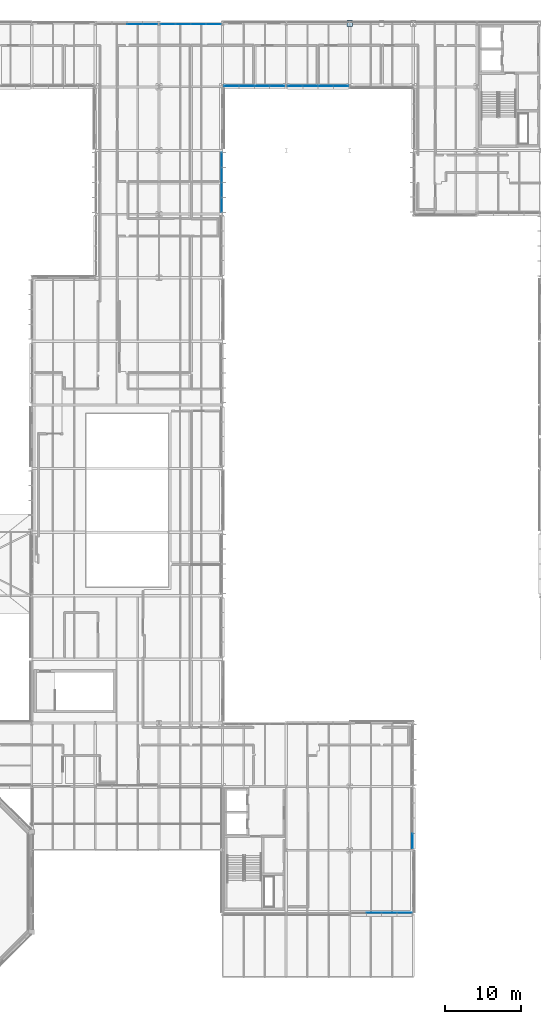
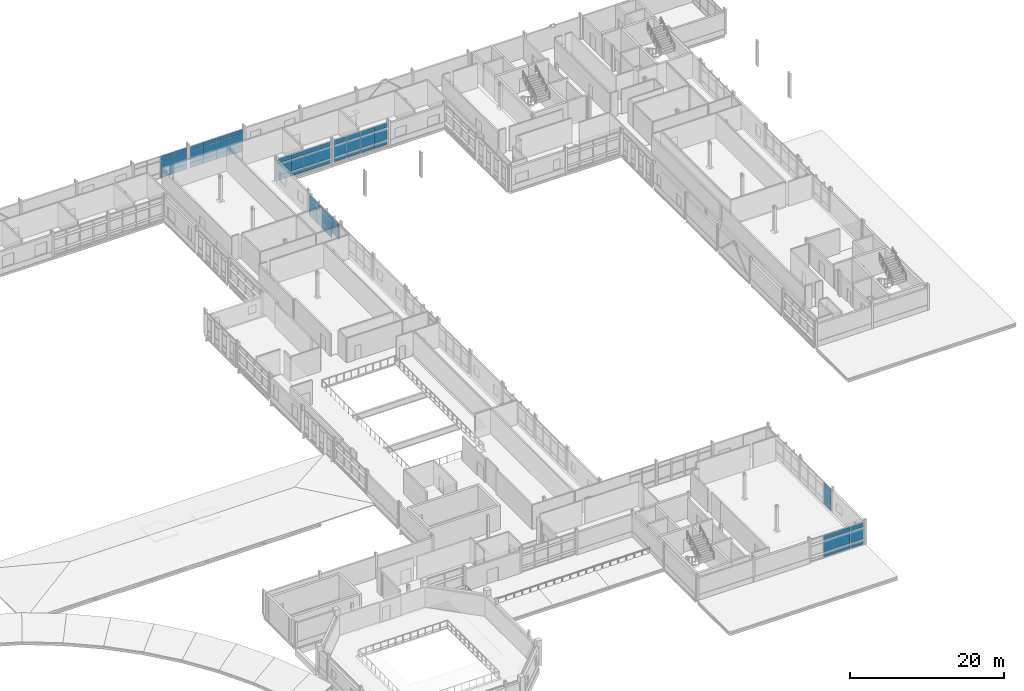
# One storey, part 114 of 151: 66 plates, 7 elements without a shape of their own.
"""IFC4 building model written with IfcOpenShell, lengths in metres."""

from ifc_helpers import new_model, si_unit, direction, frame, origin, origin_2d, place, context, subcontext, project, spatial, rectangle, extrude, material, layer, layer_set, type_object, element, aggregate, save


model = new_model("IFC4")

# Units and contexts
model_context = context("Model", 3, precision=1e-05, world=origin(), true_north=direction((0.0, 1.0)))
body_context = subcontext(model_context, "Body", "Model", "MODEL_VIEW")
ifc_project = project(units=[si_unit("LENGTHUNIT", "METRE"), si_unit("AREAUNIT", "SQUARE_METRE"), si_unit("VOLUMEUNIT", "CUBIC_METRE"), si_unit("PLANEANGLEUNIT", "RADIAN"), si_unit("MASSUNIT", "GRAM", prefix="KILO")], contexts=[model_context])

# Site, building, storey
site_placement = place(None, origin())
site = spatial("IfcSite", under=ifc_project, at=site_placement, CompositionType="ELEMENT")
building_placement = place(site_placement, origin())
building = spatial("IfcBuilding", under=site, at=building_placement, Name="Mersafa Astral City Hall", CompositionType="ELEMENT")
storey_placement = place(building_placement, frame((0.0, 0.0, 9.89990234375)))
storey = spatial("IfcBuildingStorey", under=building, at=storey_placement, Name="L02", CompositionType="ELEMENT", Elevation=9.89990234375)

# Curtain wall, plates
ifc_material_1 = material(Name="Anodised bronze aluminium framing", Category="aluminium")
curtain_wall_type_1 = type_object("IfcCurtainWallType", Name="ENV-CW-3", PredefinedType="USERDEFINED", material=ifc_material_1)
curtain_wall_1_placement = place(storey_placement, origin())
curtain_wall_1 = element("IfcCurtainWall", 1, at=curtain_wall_1_placement, inside=storey, type_object=curtain_wall_type_1, Name="L02 Unitised solar curtain wall 116", ObjectType="UNITISED CURTAIN WALL", PredefinedType="USERDEFINED")
ifc_material_2 = material(Name="Solar control low-e double glazing", Category="glass")
ifc_layer_1 = layer(ifc_material_2, 0.028076171875, Name="Solar control low-e double glazing")
ifc_layer_set_1 = layer_set([ifc_layer_1], Name="Solar control low-e double glazing — ENV-CW-PNL-GLZ-1")
plate_type_1 = type_object("IfcPlateType", Name="ENV-CW-PNL-GLZ-1", PredefinedType="CURTAIN_PANEL", material=ifc_layer_set_1)
plate_1_placement = place(storey_placement, frame((117.47998046875, 102.017822265625, 0.8798828125), z_axis=(0.0, 0.0, 1.0), x_axis=(0.0, 1.0, 0.0)))
plate_1 = element("IfcPlate", 2, at=plate_1_placement, type_object=plate_type_1, Name="CW-3 panel 1.2", PredefinedType="CURTAIN_PANEL", context=body_context, shape_type="SweptSolid", body=[
    extrude(rectangle(XDim=1.8916015625, YDim=0.028076171875, at=origin_2d()), origin(), (0.0, 0.0, 1.0), 1.840087890625),
])
plate_2_placement = place(storey_placement, frame((117.47998046875, 102.017822265625, 2.780029296875), z_axis=(0.0, 0.0, 1.0), x_axis=(0.0, 1.0, 0.0)))
plate_2 = element("IfcPlate", 3, at=plate_2_placement, type_object=plate_type_1, Name="CW-3 panel 1.3", PredefinedType="CURTAIN_PANEL", context=body_context, shape_type="SweptSolid", body=[
    extrude(rectangle(XDim=1.8916015625, YDim=0.028076171875, at=origin_2d()), origin(), (0.0, 0.0, 1.0), 0.64697265625),
])
plate_3_placement = place(storey_placement, frame((117.47998046875, 103.984130859375, 0.05810546875), z_axis=(0.0, 0.0, 1.0), x_axis=(0.0, 1.0, 0.0)))
plate_3 = element("IfcPlate", 4, at=plate_3_placement, type_object=plate_type_1, Name="CW-3 panel 2.1", PredefinedType="CURTAIN_PANEL", context=body_context, shape_type="SweptSolid", body=[
    extrude(rectangle(XDim=1.92138671875, YDim=0.028076171875, at=origin_2d()), origin(), (0.0, 0.0, 1.0), 0.761962890625),
])
plate_4_placement = place(storey_placement, frame((117.47998046875, 103.984130859375, 0.8798828125), z_axis=(0.0, 0.0, 1.0), x_axis=(0.0, 1.0, 0.0)))
plate_4 = element("IfcPlate", 5, at=plate_4_placement, type_object=plate_type_1, Name="CW-3 panel 2.2", PredefinedType="CURTAIN_PANEL", context=body_context, shape_type="SweptSolid", body=[
    extrude(rectangle(XDim=1.92138671875, YDim=0.028076171875, at=origin_2d()), origin(), (0.0, 0.0, 1.0), 1.840087890625),
])
plate_5_placement = place(storey_placement, frame((117.47998046875, 103.984130859375, 2.780029296875), z_axis=(0.0, 0.0, 1.0), x_axis=(0.0, 1.0, 0.0)))
plate_5 = element("IfcPlate", 6, at=plate_5_placement, type_object=plate_type_1, Name="CW-3 panel 2.3", PredefinedType="CURTAIN_PANEL", context=body_context, shape_type="SweptSolid", body=[
    extrude(rectangle(XDim=1.92138671875, YDim=0.028076171875, at=origin_2d()), origin(), (0.0, 0.0, 1.0), 0.64697265625),
])
plate_6_placement = place(storey_placement, frame((117.47998046875, 105.9658203125, 0.05810546875), z_axis=(0.0, 0.0, 1.0), x_axis=(0.0, 1.0, 0.0)))
plate_6 = element("IfcPlate", 7, at=plate_6_placement, type_object=plate_type_1, Name="CW-3 panel 3.1", PredefinedType="CURTAIN_PANEL", context=body_context, shape_type="SweptSolid", body=[
    extrude(rectangle(XDim=1.92138671875, YDim=0.028076171875, at=origin_2d()), origin(), (0.0, 0.0, 1.0), 0.761962890625),
])
plate_7_placement = place(storey_placement, frame((117.47998046875, 105.9658203125, 0.8798828125), z_axis=(0.0, 0.0, 1.0), x_axis=(0.0, 1.0, 0.0)))
plate_7 = element("IfcPlate", 8, at=plate_7_placement, type_object=plate_type_1, Name="CW-3 panel 3.2", PredefinedType="CURTAIN_PANEL", context=body_context, shape_type="SweptSolid", body=[
    extrude(rectangle(XDim=1.92138671875, YDim=0.028076171875, at=origin_2d()), origin(), (0.0, 0.0, 1.0), 1.840087890625),
])
plate_8_placement = place(storey_placement, frame((117.47998046875, 105.9658203125, 2.780029296875), z_axis=(0.0, 0.0, 1.0), x_axis=(0.0, 1.0, 0.0)))
plate_8 = element("IfcPlate", 9, at=plate_8_placement, type_object=plate_type_1, Name="CW-3 panel 3.3", PredefinedType="CURTAIN_PANEL", context=body_context, shape_type="SweptSolid", body=[
    extrude(rectangle(XDim=1.92138671875, YDim=0.028076171875, at=origin_2d()), origin(), (0.0, 0.0, 1.0), 0.64697265625),
])
plate_9_placement = place(storey_placement, frame((117.47998046875, 107.93212890625, 0.05810546875), z_axis=(0.0, 0.0, 1.0), x_axis=(0.0, 1.0, 0.0)))
plate_9 = element("IfcPlate", 10, at=plate_9_placement, type_object=plate_type_1, Name="CW-3 panel 4.1", PredefinedType="CURTAIN_PANEL", context=body_context, shape_type="SweptSolid", body=[
    extrude(rectangle(XDim=1.8916015625, YDim=0.028076171875, at=origin_2d()), origin(), (0.0, 0.0, 1.0), 0.761962890625),
])
plate_10_placement = place(storey_placement, frame((117.47998046875, 107.93212890625, 0.8798828125), z_axis=(0.0, 0.0, 1.0), x_axis=(0.0, 1.0, 0.0)))
plate_10 = element("IfcPlate", 11, at=plate_10_placement, type_object=plate_type_1, Name="CW-3 panel 4.2", PredefinedType="CURTAIN_PANEL", context=body_context, shape_type="SweptSolid", body=[
    extrude(rectangle(XDim=1.8916015625, YDim=0.028076171875, at=origin_2d()), origin(), (0.0, 0.0, 1.0), 1.840087890625),
])
plate_11_placement = place(storey_placement, frame((117.47998046875, 107.93212890625, 2.780029296875), z_axis=(0.0, 0.0, 1.0), x_axis=(0.0, 1.0, 0.0)))
plate_11 = element("IfcPlate", 12, at=plate_11_placement, type_object=plate_type_1, Name="CW-3 panel 4.3", PredefinedType="CURTAIN_PANEL", context=body_context, shape_type="SweptSolid", body=[
    extrude(rectangle(XDim=1.8916015625, YDim=0.028076171875, at=origin_2d()), origin(), (0.0, 0.0, 1.0), 0.64697265625),
])
aggregate(curtain_wall_1, [plate_1, plate_2, plate_3, plate_4, plate_5, plate_6, plate_7, plate_8, plate_9, plate_10, plate_11])

curtain_wall_2_placement = place(storey_placement, origin())
curtain_wall_2 = element("IfcCurtainWall", 13, at=curtain_wall_2_placement, inside=storey, type_object=curtain_wall_type_1, Name="L02 Unitised solar curtain wall 128", ObjectType="UNITISED CURTAIN WALL", PredefinedType="USERDEFINED")
plate_12_placement = place(storey_placement, frame((116.41357421875, 125.8798828125, 0.05810546875), z_axis=(0.0, 0.0, 1.0), x_axis=(-1.0, 0.0, 0.0)))
plate_12 = element("IfcPlate", 14, at=plate_12_placement, type_object=plate_type_1, Name="CW-3 panel 1.1", PredefinedType="CURTAIN_PANEL", context=body_context, shape_type="SweptSolid", body=[
    extrude(rectangle(XDim=1.928955078125, YDim=0.028076171875, at=origin_2d()), origin(), (0.0, 0.0, 1.0), 0.761962890625),
])
plate_13_placement = place(storey_placement, frame((116.41357421875, 125.8798828125, 0.8798828125), z_axis=(0.0, 0.0, 1.0), x_axis=(-1.0, 0.0, 0.0)))
plate_13 = element("IfcPlate", 15, at=plate_13_placement, type_object=plate_type_1, Name="CW-3 panel 1.2", PredefinedType="CURTAIN_PANEL", context=body_context, shape_type="SweptSolid", body=[
    extrude(rectangle(XDim=1.928955078125, YDim=0.028076171875, at=origin_2d()), origin(), (0.0, 0.0, 1.0), 1.840087890625),
])
plate_14_placement = place(storey_placement, frame((116.41357421875, 125.8798828125, 2.780029296875), z_axis=(0.0, 0.0, 1.0), x_axis=(-1.0, 0.0, 0.0)))
plate_14 = element("IfcPlate", 16, at=plate_14_placement, type_object=plate_type_1, Name="CW-3 panel 1.3", PredefinedType="CURTAIN_PANEL", context=body_context, shape_type="SweptSolid", body=[
    extrude(rectangle(XDim=1.928955078125, YDim=0.028076171875, at=origin_2d()), origin(), (0.0, 0.0, 1.0), 0.64697265625),
])
plate_15_placement = place(storey_placement, frame((114.409423828125, 125.8798828125, 0.05810546875), z_axis=(0.0, 0.0, 1.0), x_axis=(-1.0, 0.0, 0.0)))
plate_15 = element("IfcPlate", 17, at=plate_15_placement, type_object=plate_type_1, Name="CW-3 panel 2.1", PredefinedType="CURTAIN_PANEL", context=body_context, shape_type="SweptSolid", body=[
    extrude(rectangle(XDim=1.958984375, YDim=0.028076171875, at=origin_2d()), origin(), (0.0, 0.0, 1.0), 0.761962890625),
])
plate_16_placement = place(storey_placement, frame((114.409423828125, 125.8798828125, 0.8798828125), z_axis=(0.0, 0.0, 1.0), x_axis=(-1.0, 0.0, 0.0)))
plate_16 = element("IfcPlate", 18, at=plate_16_placement, type_object=plate_type_1, Name="CW-3 panel 2.2", PredefinedType="CURTAIN_PANEL", context=body_context, shape_type="SweptSolid", body=[
    extrude(rectangle(XDim=1.958984375, YDim=0.028076171875, at=origin_2d()), origin(), (0.0, 0.0, 1.0), 1.840087890625),
])
plate_17_placement = place(storey_placement, frame((114.409423828125, 125.8798828125, 2.780029296875), z_axis=(0.0, 0.0, 1.0), x_axis=(-1.0, 0.0, 0.0)))
plate_17 = element("IfcPlate", 19, at=plate_17_placement, type_object=plate_type_1, Name="CW-3 panel 2.3", PredefinedType="CURTAIN_PANEL", context=body_context, shape_type="SweptSolid", body=[
    extrude(rectangle(XDim=1.958984375, YDim=0.028076171875, at=origin_2d()), origin(), (0.0, 0.0, 1.0), 0.64697265625),
])
plate_18_placement = place(storey_placement, frame((112.390380859375, 125.8798828125, 0.05810546875), z_axis=(0.0, 0.0, 1.0), x_axis=(-1.0, 0.0, 0.0)))
plate_18 = element("IfcPlate", 20, at=plate_18_placement, type_object=plate_type_1, Name="CW-3 panel 3.1", PredefinedType="CURTAIN_PANEL", context=body_context, shape_type="SweptSolid", body=[
    extrude(rectangle(XDim=1.958984375, YDim=0.028076171875, at=origin_2d()), origin(), (0.0, 0.0, 1.0), 0.761962890625),
])
plate_19_placement = place(storey_placement, frame((112.390380859375, 125.8798828125, 0.8798828125), z_axis=(0.0, 0.0, 1.0), x_axis=(-1.0, 0.0, 0.0)))
plate_19 = element("IfcPlate", 21, at=plate_19_placement, type_object=plate_type_1, Name="CW-3 panel 3.2", PredefinedType="CURTAIN_PANEL", context=body_context, shape_type="SweptSolid", body=[
    extrude(rectangle(XDim=1.958984375, YDim=0.028076171875, at=origin_2d()), origin(), (0.0, 0.0, 1.0), 1.840087890625),
])
plate_20_placement = place(storey_placement, frame((112.390380859375, 125.8798828125, 2.780029296875), z_axis=(0.0, 0.0, 1.0), x_axis=(-1.0, 0.0, 0.0)))
plate_20 = element("IfcPlate", 22, at=plate_20_placement, type_object=plate_type_1, Name="CW-3 panel 3.3", PredefinedType="CURTAIN_PANEL", context=body_context, shape_type="SweptSolid", body=[
    extrude(rectangle(XDim=1.958984375, YDim=0.028076171875, at=origin_2d()), origin(), (0.0, 0.0, 1.0), 0.64697265625),
])
plate_21_placement = place(storey_placement, frame((110.386474609375, 125.8798828125, 0.05810546875), z_axis=(0.0, 0.0, 1.0), x_axis=(-1.0, 0.0, 0.0)))
plate_21 = element("IfcPlate", 23, at=plate_21_placement, type_object=plate_type_1, Name="CW-3 panel 4.1", PredefinedType="CURTAIN_PANEL", context=body_context, shape_type="SweptSolid", body=[
    extrude(rectangle(XDim=1.928955078125, YDim=0.028076171875, at=origin_2d()), origin(), (0.0, 0.0, 1.0), 0.761962890625),
])
plate_22_placement = place(storey_placement, frame((110.386474609375, 125.8798828125, 0.8798828125), z_axis=(0.0, 0.0, 1.0), x_axis=(-1.0, 0.0, 0.0)))
plate_22 = element("IfcPlate", 24, at=plate_22_placement, type_object=plate_type_1, Name="CW-3 panel 4.2", PredefinedType="CURTAIN_PANEL", context=body_context, shape_type="SweptSolid", body=[
    extrude(rectangle(XDim=1.928955078125, YDim=0.028076171875, at=origin_2d()), origin(), (0.0, 0.0, 1.0), 1.840087890625),
])
plate_23_placement = place(storey_placement, frame((110.386474609375, 125.8798828125, 2.780029296875), z_axis=(0.0, 0.0, 1.0), x_axis=(-1.0, 0.0, 0.0)))
plate_23 = element("IfcPlate", 25, at=plate_23_placement, type_object=plate_type_1, Name="CW-3 panel 4.3", PredefinedType="CURTAIN_PANEL", context=body_context, shape_type="SweptSolid", body=[
    extrude(rectangle(XDim=1.928955078125, YDim=0.028076171875, at=origin_2d()), origin(), (0.0, 0.0, 1.0), 0.64697265625),
])
aggregate(curtain_wall_2, [plate_12, plate_13, plate_14, plate_15, plate_16, plate_17, plate_18, plate_19, plate_20, plate_21, plate_22, plate_23])

curtain_wall_type_2 = type_object("IfcCurtainWallType", Name="ENV-CW-4", PredefinedType="USERDEFINED", material=ifc_material_1)
curtain_wall_3_placement = place(storey_placement, origin())
curtain_wall_3 = element("IfcCurtainWall", 26, at=curtain_wall_3_placement, inside=storey, type_object=curtain_wall_type_2, Name="L02 Unitised solar curtain wall 117", ObjectType="UNITISED CURTAIN WALL", PredefinedType="USERDEFINED")
ifc_layer_2 = layer(ifc_material_2, 0.031982421875, Name="Solar control low-e double glazing")
ifc_layer_set_2 = layer_set([ifc_layer_2], Name="Solar control low-e double glazing — ENV-CW-PNL-GLZ-2")
plate_type_2 = type_object("IfcPlateType", Name="ENV-CW-PNL-GLZ-2", PredefinedType="CURTAIN_PANEL", material=ifc_layer_set_2)
plate_24_placement = place(storey_placement, frame((118.78662109375, 117.719970703125, 0.05810546875), z_axis=(0.0, 0.0, 1.0), x_axis=(1.0, 0.0, 0.0)))
plate_24 = element("IfcPlate", 27, at=plate_24_placement, type_object=plate_type_2, Name="CW-4 panel 1.1", PredefinedType="CURTAIN_PANEL", context=body_context, shape_type="SweptSolid", body=[
    extrude(rectangle(XDim=1.928955078125, YDim=0.031982421875, at=origin_2d()), origin(), (0.0, 0.0, 1.0), 0.761962890625),
])
plate_25_placement = place(storey_placement, frame((118.78662109375, 117.719970703125, 0.8798828125), z_axis=(0.0, 0.0, 1.0), x_axis=(1.0, 0.0, 0.0)))
plate_25 = element("IfcPlate", 28, at=plate_25_placement, type_object=plate_type_2, Name="CW-4 panel 1.2", PredefinedType="CURTAIN_PANEL", context=body_context, shape_type="SweptSolid", body=[
    extrude(rectangle(XDim=1.928955078125, YDim=0.031982421875, at=origin_2d()), origin(), (0.0, 0.0, 1.0), 1.840087890625),
])
plate_26_placement = place(storey_placement, frame((118.78662109375, 117.719970703125, 2.780029296875), z_axis=(0.0, 0.0, 1.0), x_axis=(1.0, 0.0, 0.0)))
plate_26 = element("IfcPlate", 29, at=plate_26_placement, type_object=plate_type_2, Name="CW-4 panel 1.3", PredefinedType="CURTAIN_PANEL", context=body_context, shape_type="SweptSolid", body=[
    extrude(rectangle(XDim=1.928955078125, YDim=0.031982421875, at=origin_2d()), origin(), (0.0, 0.0, 1.0), 0.64697265625),
])
plate_27_placement = place(storey_placement, frame((120.79052734375, 117.719970703125, 0.05810546875), z_axis=(0.0, 0.0, 1.0), x_axis=(1.0, 0.0, 0.0)))
plate_27 = element("IfcPlate", 30, at=plate_27_placement, type_object=plate_type_2, Name="CW-4 panel 2.1", PredefinedType="CURTAIN_PANEL", context=body_context, shape_type="SweptSolid", body=[
    extrude(rectangle(XDim=1.958984375, YDim=0.031982421875, at=origin_2d()), origin(), (0.0, 0.0, 1.0), 0.761962890625),
])
plate_28_placement = place(storey_placement, frame((120.79052734375, 117.719970703125, 0.8798828125), z_axis=(0.0, 0.0, 1.0), x_axis=(1.0, 0.0, 0.0)))
plate_28 = element("IfcPlate", 31, at=plate_28_placement, type_object=plate_type_2, Name="CW-4 panel 2.2", PredefinedType="CURTAIN_PANEL", context=body_context, shape_type="SweptSolid", body=[
    extrude(rectangle(XDim=1.958984375, YDim=0.031982421875, at=origin_2d()), origin(), (0.0, 0.0, 1.0), 1.840087890625),
])
plate_29_placement = place(storey_placement, frame((120.79052734375, 117.719970703125, 2.780029296875), z_axis=(0.0, 0.0, 1.0), x_axis=(1.0, 0.0, 0.0)))
plate_29 = element("IfcPlate", 32, at=plate_29_placement, type_object=plate_type_2, Name="CW-4 panel 2.3", PredefinedType="CURTAIN_PANEL", context=body_context, shape_type="SweptSolid", body=[
    extrude(rectangle(XDim=1.958984375, YDim=0.031982421875, at=origin_2d()), origin(), (0.0, 0.0, 1.0), 0.64697265625),
])
plate_30_placement = place(storey_placement, frame((122.8095703125, 117.719970703125, 0.05810546875), z_axis=(0.0, 0.0, 1.0), x_axis=(1.0, 0.0, 0.0)))
plate_30 = element("IfcPlate", 33, at=plate_30_placement, type_object=plate_type_2, Name="CW-4 panel 3.1", PredefinedType="CURTAIN_PANEL", context=body_context, shape_type="SweptSolid", body=[
    extrude(rectangle(XDim=1.958984375, YDim=0.031982421875, at=origin_2d()), origin(), (0.0, 0.0, 1.0), 0.761962890625),
])
plate_31_placement = place(storey_placement, frame((122.8095703125, 117.719970703125, 0.8798828125), z_axis=(0.0, 0.0, 1.0), x_axis=(1.0, 0.0, 0.0)))
plate_31 = element("IfcPlate", 34, at=plate_31_placement, type_object=plate_type_2, Name="CW-4 panel 3.2", PredefinedType="CURTAIN_PANEL", context=body_context, shape_type="SweptSolid", body=[
    extrude(rectangle(XDim=1.958984375, YDim=0.031982421875, at=origin_2d()), origin(), (0.0, 0.0, 1.0), 1.840087890625),
])
plate_32_placement = place(storey_placement, frame((122.8095703125, 117.719970703125, 2.780029296875), z_axis=(0.0, 0.0, 1.0), x_axis=(1.0, 0.0, 0.0)))
plate_32 = element("IfcPlate", 35, at=plate_32_placement, type_object=plate_type_2, Name="CW-4 panel 3.3", PredefinedType="CURTAIN_PANEL", context=body_context, shape_type="SweptSolid", body=[
    extrude(rectangle(XDim=1.958984375, YDim=0.031982421875, at=origin_2d()), origin(), (0.0, 0.0, 1.0), 0.64697265625),
])
plate_33_placement = place(storey_placement, frame((124.8134765625, 117.719970703125, 0.05810546875), z_axis=(0.0, 0.0, 1.0), x_axis=(1.0, 0.0, 0.0)))
plate_33 = element("IfcPlate", 36, at=plate_33_placement, type_object=plate_type_2, Name="CW-4 panel 4.1", PredefinedType="CURTAIN_PANEL", context=body_context, shape_type="SweptSolid", body=[
    extrude(rectangle(XDim=1.928955078125, YDim=0.031982421875, at=origin_2d()), origin(), (0.0, 0.0, 1.0), 0.761962890625),
])
plate_34_placement = place(storey_placement, frame((124.8134765625, 117.719970703125, 0.8798828125), z_axis=(0.0, 0.0, 1.0), x_axis=(1.0, 0.0, 0.0)))
plate_34 = element("IfcPlate", 37, at=plate_34_placement, type_object=plate_type_2, Name="CW-4 panel 4.2", PredefinedType="CURTAIN_PANEL", context=body_context, shape_type="SweptSolid", body=[
    extrude(rectangle(XDim=1.928955078125, YDim=0.031982421875, at=origin_2d()), origin(), (0.0, 0.0, 1.0), 1.840087890625),
])
plate_35_placement = place(storey_placement, frame((124.8134765625, 117.719970703125, 2.780029296875), z_axis=(0.0, 0.0, 1.0), x_axis=(1.0, 0.0, 0.0)))
plate_35 = element("IfcPlate", 38, at=plate_35_placement, type_object=plate_type_2, Name="CW-4 panel 4.3", PredefinedType="CURTAIN_PANEL", context=body_context, shape_type="SweptSolid", body=[
    extrude(rectangle(XDim=1.928955078125, YDim=0.031982421875, at=origin_2d()), origin(), (0.0, 0.0, 1.0), 0.64697265625),
])
aggregate(curtain_wall_3, [plate_24, plate_25, plate_26, plate_27, plate_28, plate_29, plate_30, plate_31, plate_32, plate_33, plate_34, plate_35])

curtain_wall_4_placement = place(storey_placement, origin())
curtain_wall_4 = element("IfcCurtainWall", 39, at=curtain_wall_4_placement, inside=storey, type_object=curtain_wall_type_2, Name="L02 Unitised solar curtain wall 129", ObjectType="UNITISED CURTAIN WALL", PredefinedType="USERDEFINED")
plate_36_placement = place(storey_placement, frame((108.013427734375, 125.8798828125, 0.05810546875), z_axis=(0.0, 0.0, 1.0), x_axis=(-1.0, 0.0, 0.0)))
plate_36 = element("IfcPlate", 40, at=plate_36_placement, type_object=plate_type_2, Name="CW-4 panel 1.1", PredefinedType="CURTAIN_PANEL", context=body_context, shape_type="SweptSolid", body=[
    extrude(rectangle(XDim=1.928955078125, YDim=0.031982421875, at=origin_2d()), origin(), (0.0, 0.0, 1.0), 0.761962890625),
])
plate_37_placement = place(storey_placement, frame((108.013427734375, 125.8798828125, 0.8798828125), z_axis=(0.0, 0.0, 1.0), x_axis=(-1.0, 0.0, 0.0)))
plate_37 = element("IfcPlate", 41, at=plate_37_placement, type_object=plate_type_2, Name="CW-4 panel 1.2", PredefinedType="CURTAIN_PANEL", context=body_context, shape_type="SweptSolid", body=[
    extrude(rectangle(XDim=1.928955078125, YDim=0.031982421875, at=origin_2d()), origin(), (0.0, 0.0, 1.0), 1.840087890625),
])
plate_38_placement = place(storey_placement, frame((108.013427734375, 125.8798828125, 2.7802734375), z_axis=(0.0, 0.0, 1.0), x_axis=(-1.0, 0.0, 0.0)))
plate_38 = element("IfcPlate", 42, at=plate_38_placement, type_object=plate_type_2, Name="CW-4 panel 1.3", PredefinedType="CURTAIN_PANEL", context=body_context, shape_type="SweptSolid", body=[
    extrude(rectangle(XDim=1.928955078125, YDim=0.031982421875, at=origin_2d()), origin(), (0.0, 0.0, 1.0), 0.677001953125),
])
plate_39_placement = place(storey_placement, frame((106.009521484375, 125.8798828125, 0.05810546875), z_axis=(0.0, 0.0, 1.0), x_axis=(-1.0, 0.0, 0.0)))
plate_39 = element("IfcPlate", 43, at=plate_39_placement, type_object=plate_type_2, Name="CW-4 panel 2.1", PredefinedType="CURTAIN_PANEL", context=body_context, shape_type="SweptSolid", body=[
    extrude(rectangle(XDim=1.958984375, YDim=0.031982421875, at=origin_2d()), origin(), (0.0, 0.0, 1.0), 0.761962890625),
])
plate_40_placement = place(storey_placement, frame((106.009521484375, 125.8798828125, 0.8798828125), z_axis=(0.0, 0.0, 1.0), x_axis=(-1.0, 0.0, 0.0)))
plate_40 = element("IfcPlate", 44, at=plate_40_placement, type_object=plate_type_2, Name="CW-4 panel 2.2", PredefinedType="CURTAIN_PANEL", context=body_context, shape_type="SweptSolid", body=[
    extrude(rectangle(XDim=1.958984375, YDim=0.031982421875, at=origin_2d()), origin(), (0.0, 0.0, 1.0), 1.840087890625),
])
plate_41_placement = place(storey_placement, frame((106.009521484375, 125.8798828125, 2.7802734375), z_axis=(0.0, 0.0, 1.0), x_axis=(-1.0, 0.0, 0.0)))
plate_41 = element("IfcPlate", 45, at=plate_41_placement, type_object=plate_type_2, Name="CW-4 panel 2.3", PredefinedType="CURTAIN_PANEL", context=body_context, shape_type="SweptSolid", body=[
    extrude(rectangle(XDim=1.958984375, YDim=0.031982421875, at=origin_2d()), origin(), (0.0, 0.0, 1.0), 0.677001953125),
])
aggregate(curtain_wall_4, [plate_36, plate_37, plate_38, plate_39, plate_40, plate_41])

curtain_wall_type_3 = type_object("IfcCurtainWallType", Name="ENV-CW-5", PredefinedType="USERDEFINED", material=ifc_material_1)
curtain_wall_5_placement = place(storey_placement, origin())
curtain_wall_5 = element("IfcCurtainWall", 46, at=curtain_wall_5_placement, inside=storey, type_object=curtain_wall_type_3, Name="L02 Unitised solar curtain wall 106", ObjectType="UNITISED CURTAIN WALL", PredefinedType="USERDEFINED")
ifc_layer_3 = layer(ifc_material_2, 0.035888671875, Name="Solar control low-e double glazing")
ifc_layer_set_3 = layer_set([ifc_layer_3], Name="Solar control low-e double glazing — ENV-CW-PNL-GLZ-3")
plate_type_3 = type_object("IfcPlateType", Name="ENV-CW-PNL-GLZ-3", PredefinedType="CURTAIN_PANEL", material=ifc_layer_set_3)
plate_42_placement = place(storey_placement, frame((137.590576171875, 8.52001953125, 0.05810546875), z_axis=(0.0, 0.0, 1.0), x_axis=(1.0, 0.0, 0.0)))
plate_42 = element("IfcPlate", 47, at=plate_42_placement, type_object=plate_type_3, Name="CW-5 panel 2.1", PredefinedType="CURTAIN_PANEL", context=body_context, shape_type="SweptSolid", body=[
    extrude(rectangle(XDim=1.958984375, YDim=0.035888671875, at=origin_2d()), origin(), (0.0, 0.0, 1.0), 0.761962890625),
])
plate_43_placement = place(storey_placement, frame((137.590576171875, 8.52001953125, 0.8798828125), z_axis=(0.0, 0.0, 1.0), x_axis=(1.0, 0.0, 0.0)))
plate_43 = element("IfcPlate", 48, at=plate_43_placement, type_object=plate_type_3, Name="CW-5 panel 2.2", PredefinedType="CURTAIN_PANEL", context=body_context, shape_type="SweptSolid", body=[
    extrude(rectangle(XDim=1.958984375, YDim=0.035888671875, at=origin_2d()), origin(), (0.0, 0.0, 1.0), 1.840087890625),
])
plate_44_placement = place(storey_placement, frame((137.590576171875, 8.52001953125, 2.7802734375), z_axis=(0.0, 0.0, 1.0), x_axis=(1.0, 0.0, 0.0)))
plate_44 = element("IfcPlate", 49, at=plate_44_placement, type_object=plate_type_3, Name="CW-5 panel 2.3", PredefinedType="CURTAIN_PANEL", context=body_context, shape_type="SweptSolid", body=[
    extrude(rectangle(XDim=1.958984375, YDim=0.035888671875, at=origin_2d()), origin(), (0.0, 0.0, 1.0), 0.677001953125),
])
plate_45_placement = place(storey_placement, frame((139.609619140625, 8.52001953125, 0.05810546875), z_axis=(0.0, 0.0, 1.0), x_axis=(1.0, 0.0, 0.0)))
plate_45 = element("IfcPlate", 50, at=plate_45_placement, type_object=plate_type_3, Name="CW-5 panel 3.1", PredefinedType="CURTAIN_PANEL", context=body_context, shape_type="SweptSolid", body=[
    extrude(rectangle(XDim=1.958984375, YDim=0.035888671875, at=origin_2d()), origin(), (0.0, 0.0, 1.0), 0.761962890625),
])
plate_46_placement = place(storey_placement, frame((139.609619140625, 8.52001953125, 0.8798828125), z_axis=(0.0, 0.0, 1.0), x_axis=(1.0, 0.0, 0.0)))
plate_46 = element("IfcPlate", 51, at=plate_46_placement, type_object=plate_type_3, Name="CW-5 panel 3.2", PredefinedType="CURTAIN_PANEL", context=body_context, shape_type="SweptSolid", body=[
    extrude(rectangle(XDim=1.958984375, YDim=0.035888671875, at=origin_2d()), origin(), (0.0, 0.0, 1.0), 1.840087890625),
])
plate_47_placement = place(storey_placement, frame((139.609619140625, 8.52001953125, 2.7802734375), z_axis=(0.0, 0.0, 1.0), x_axis=(1.0, 0.0, 0.0)))
plate_47 = element("IfcPlate", 52, at=plate_47_placement, type_object=plate_type_3, Name="CW-5 panel 3.3", PredefinedType="CURTAIN_PANEL", context=body_context, shape_type="SweptSolid", body=[
    extrude(rectangle(XDim=1.958984375, YDim=0.035888671875, at=origin_2d()), origin(), (0.0, 0.0, 1.0), 0.677001953125),
])
plate_48_placement = place(storey_placement, frame((141.613525390625, 8.52001953125, 0.05810546875), z_axis=(0.0, 0.0, 1.0), x_axis=(1.0, 0.0, 0.0)))
plate_48 = element("IfcPlate", 53, at=plate_48_placement, type_object=plate_type_3, Name="CW-5 panel 4.1", PredefinedType="CURTAIN_PANEL", context=body_context, shape_type="SweptSolid", body=[
    extrude(rectangle(XDim=1.928955078125, YDim=0.035888671875, at=origin_2d()), origin(), (0.0, 0.0, 1.0), 0.761962890625),
])
plate_49_placement = place(storey_placement, frame((141.613525390625, 8.52001953125, 0.8798828125), z_axis=(0.0, 0.0, 1.0), x_axis=(1.0, 0.0, 0.0)))
plate_49 = element("IfcPlate", 54, at=plate_49_placement, type_object=plate_type_3, Name="CW-5 panel 4.2", PredefinedType="CURTAIN_PANEL", context=body_context, shape_type="SweptSolid", body=[
    extrude(rectangle(XDim=1.928955078125, YDim=0.035888671875, at=origin_2d()), origin(), (0.0, 0.0, 1.0), 1.840087890625),
])
plate_50_placement = place(storey_placement, frame((141.613525390625, 8.52001953125, 2.7802734375), z_axis=(0.0, 0.0, 1.0), x_axis=(1.0, 0.0, 0.0)))
plate_50 = element("IfcPlate", 55, at=plate_50_placement, type_object=plate_type_3, Name="CW-5 panel 4.3", PredefinedType="CURTAIN_PANEL", context=body_context, shape_type="SweptSolid", body=[
    extrude(rectangle(XDim=1.928955078125, YDim=0.035888671875, at=origin_2d()), origin(), (0.0, 0.0, 1.0), 0.677001953125),
])
aggregate(curtain_wall_5, [plate_42, plate_43, plate_44, plate_45, plate_46, plate_47, plate_48, plate_49, plate_50])

curtain_wall_6_placement = place(storey_placement, origin())
curtain_wall_6 = element("IfcCurtainWall", 56, at=curtain_wall_6_placement, inside=storey, type_object=curtain_wall_type_3, Name="L02 Unitised solar curtain wall 118", ObjectType="UNITISED CURTAIN WALL", PredefinedType="USERDEFINED")
plate_51_placement = place(storey_placement, frame((127.1865234375, 117.719970703125, 0.05810546875), z_axis=(0.0, 0.0, 1.0), x_axis=(1.0, 0.0, 0.0)))
plate_51 = element("IfcPlate", 57, at=plate_51_placement, type_object=plate_type_3, Name="CW-5 panel 1.1", PredefinedType="CURTAIN_PANEL", context=body_context, shape_type="SweptSolid", body=[
    extrude(rectangle(XDim=1.928955078125, YDim=0.035888671875, at=origin_2d()), origin(), (0.0, 0.0, 1.0), 0.761962890625),
])
plate_52_placement = place(storey_placement, frame((127.1865234375, 117.719970703125, 0.8798828125), z_axis=(0.0, 0.0, 1.0), x_axis=(1.0, 0.0, 0.0)))
plate_52 = element("IfcPlate", 58, at=plate_52_placement, type_object=plate_type_3, Name="CW-5 panel 1.2", PredefinedType="CURTAIN_PANEL", context=body_context, shape_type="SweptSolid", body=[
    extrude(rectangle(XDim=1.928955078125, YDim=0.035888671875, at=origin_2d()), origin(), (0.0, 0.0, 1.0), 1.840087890625),
])
plate_53_placement = place(storey_placement, frame((127.1865234375, 117.719970703125, 2.7802734375), z_axis=(0.0, 0.0, 1.0), x_axis=(1.0, 0.0, 0.0)))
plate_53 = element("IfcPlate", 59, at=plate_53_placement, type_object=plate_type_3, Name="CW-5 panel 1.3", PredefinedType="CURTAIN_PANEL", context=body_context, shape_type="SweptSolid", body=[
    extrude(rectangle(XDim=1.928955078125, YDim=0.035888671875, at=origin_2d()), origin(), (0.0, 0.0, 1.0), 0.677001953125),
])
plate_54_placement = place(storey_placement, frame((129.1904296875, 117.719970703125, 0.05810546875), z_axis=(0.0, 0.0, 1.0), x_axis=(1.0, 0.0, 0.0)))
plate_54 = element("IfcPlate", 60, at=plate_54_placement, type_object=plate_type_3, Name="CW-5 panel 2.1", PredefinedType="CURTAIN_PANEL", context=body_context, shape_type="SweptSolid", body=[
    extrude(rectangle(XDim=1.958984375, YDim=0.035888671875, at=origin_2d()), origin(), (0.0, 0.0, 1.0), 0.761962890625),
])
plate_55_placement = place(storey_placement, frame((129.1904296875, 117.719970703125, 0.8798828125), z_axis=(0.0, 0.0, 1.0), x_axis=(1.0, 0.0, 0.0)))
plate_55 = element("IfcPlate", 61, at=plate_55_placement, type_object=plate_type_3, Name="CW-5 panel 2.2", PredefinedType="CURTAIN_PANEL", context=body_context, shape_type="SweptSolid", body=[
    extrude(rectangle(XDim=1.958984375, YDim=0.035888671875, at=origin_2d()), origin(), (0.0, 0.0, 1.0), 1.840087890625),
])
plate_56_placement = place(storey_placement, frame((129.1904296875, 117.719970703125, 2.7802734375), z_axis=(0.0, 0.0, 1.0), x_axis=(1.0, 0.0, 0.0)))
plate_56 = element("IfcPlate", 62, at=plate_56_placement, type_object=plate_type_3, Name="CW-5 panel 2.3", PredefinedType="CURTAIN_PANEL", context=body_context, shape_type="SweptSolid", body=[
    extrude(rectangle(XDim=1.958984375, YDim=0.035888671875, at=origin_2d()), origin(), (0.0, 0.0, 1.0), 0.677001953125),
])
plate_57_placement = place(storey_placement, frame((131.20947265625, 117.719970703125, 0.05810546875), z_axis=(0.0, 0.0, 1.0), x_axis=(1.0, 0.0, 0.0)))
plate_57 = element("IfcPlate", 63, at=plate_57_placement, type_object=plate_type_3, Name="CW-5 panel 3.1", PredefinedType="CURTAIN_PANEL", context=body_context, shape_type="SweptSolid", body=[
    extrude(rectangle(XDim=1.958984375, YDim=0.035888671875, at=origin_2d()), origin(), (0.0, 0.0, 1.0), 0.761962890625),
])
plate_58_placement = place(storey_placement, frame((131.20947265625, 117.719970703125, 0.8798828125), z_axis=(0.0, 0.0, 1.0), x_axis=(1.0, 0.0, 0.0)))
plate_58 = element("IfcPlate", 64, at=plate_58_placement, type_object=plate_type_3, Name="CW-5 panel 3.2", PredefinedType="CURTAIN_PANEL", context=body_context, shape_type="SweptSolid", body=[
    extrude(rectangle(XDim=1.958984375, YDim=0.035888671875, at=origin_2d()), origin(), (0.0, 0.0, 1.0), 1.840087890625),
])
plate_59_placement = place(storey_placement, frame((131.20947265625, 117.719970703125, 2.7802734375), z_axis=(0.0, 0.0, 1.0), x_axis=(1.0, 0.0, 0.0)))
plate_59 = element("IfcPlate", 65, at=plate_59_placement, type_object=plate_type_3, Name="CW-5 panel 3.3", PredefinedType="CURTAIN_PANEL", context=body_context, shape_type="SweptSolid", body=[
    extrude(rectangle(XDim=1.958984375, YDim=0.035888671875, at=origin_2d()), origin(), (0.0, 0.0, 1.0), 0.677001953125),
])
plate_60_placement = place(storey_placement, frame((133.21337890625, 117.719970703125, 0.05810546875), z_axis=(0.0, 0.0, 1.0), x_axis=(1.0, 0.0, 0.0)))
plate_60 = element("IfcPlate", 66, at=plate_60_placement, type_object=plate_type_3, Name="CW-5 panel 4.1", PredefinedType="CURTAIN_PANEL", context=body_context, shape_type="SweptSolid", body=[
    extrude(rectangle(XDim=1.928955078125, YDim=0.035888671875, at=origin_2d()), origin(), (0.0, 0.0, 1.0), 0.761962890625),
])
plate_61_placement = place(storey_placement, frame((133.21337890625, 117.719970703125, 0.8798828125), z_axis=(0.0, 0.0, 1.0), x_axis=(1.0, 0.0, 0.0)))
plate_61 = element("IfcPlate", 67, at=plate_61_placement, type_object=plate_type_3, Name="CW-5 panel 4.2", PredefinedType="CURTAIN_PANEL", context=body_context, shape_type="SweptSolid", body=[
    extrude(rectangle(XDim=1.928955078125, YDim=0.035888671875, at=origin_2d()), origin(), (0.0, 0.0, 1.0), 1.840087890625),
])
plate_62_placement = place(storey_placement, frame((133.21337890625, 117.719970703125, 2.7802734375), z_axis=(0.0, 0.0, 1.0), x_axis=(1.0, 0.0, 0.0)))
plate_62 = element("IfcPlate", 68, at=plate_62_placement, type_object=plate_type_3, Name="CW-5 panel 4.3", PredefinedType="CURTAIN_PANEL", context=body_context, shape_type="SweptSolid", body=[
    extrude(rectangle(XDim=1.928955078125, YDim=0.035888671875, at=origin_2d()), origin(), (0.0, 0.0, 1.0), 0.677001953125),
])
aggregate(curtain_wall_6, [plate_51, plate_52, plate_53, plate_54, plate_55, plate_56, plate_57, plate_58, plate_59, plate_60, plate_61, plate_62])

curtain_wall_type_4 = type_object("IfcCurtainWallType", Name="ENV-CW-6", PredefinedType="USERDEFINED", material=ifc_material_1)
curtain_wall_7_placement = place(storey_placement, origin())
curtain_wall_7 = element("IfcCurtainWall", 69, at=curtain_wall_7_placement, inside=storey, type_object=curtain_wall_type_4, Name="L02 Unitised solar curtain wall 107", ObjectType="UNITISED CURTAIN WALL", PredefinedType="USERDEFINED")
ifc_layer_4 = layer(ifc_material_2, 0.0400390625, Name="Solar control low-e double glazing")
ifc_layer_set_4 = layer_set([ifc_layer_4], Name="Solar control low-e double glazing — ENV-CW-PNL-GLZ-4")
plate_type_4 = type_object("IfcPlateType", Name="ENV-CW-PNL-GLZ-4", PredefinedType="CURTAIN_PANEL", material=ifc_layer_set_4)
plate_63_placement = place(storey_placement, frame((142.679931640625, 17.986572265625, 0.05810546875), z_axis=(0.0, 0.0, 1.0), x_axis=(0.0, 1.0, 0.0)))
plate_63 = element("IfcPlate", 70, at=plate_63_placement, type_object=plate_type_4, Name="CW-6 panel 1.1", PredefinedType="CURTAIN_PANEL", context=body_context, shape_type="SweptSolid", body=[
    extrude(rectangle(XDim=1.928955078125, YDim=0.0400390625, at=origin_2d()), origin(), (0.0, 0.0, 1.0), 0.761962890625),
])
plate_64_placement = place(storey_placement, frame((142.679931640625, 17.986572265625, 0.8798828125), z_axis=(0.0, 0.0, 1.0), x_axis=(0.0, 1.0, 0.0)))
plate_64 = element("IfcPlate", 71, at=plate_64_placement, type_object=plate_type_4, Name="CW-6 panel 1.2", PredefinedType="CURTAIN_PANEL", context=body_context, shape_type="SweptSolid", body=[
    extrude(rectangle(XDim=1.928955078125, YDim=0.0400390625, at=origin_2d()), origin(), (0.0, 0.0, 1.0), 1.840087890625),
])
plate_65_placement = place(storey_placement, frame((142.679931640625, 17.986572265625, 2.7802734375), z_axis=(0.0, 0.0, 1.0), x_axis=(0.0, 1.0, 0.0)))
plate_65 = element("IfcPlate", 72, at=plate_65_placement, type_object=plate_type_4, Name="CW-6 panel 1.3", PredefinedType="CURTAIN_PANEL", context=body_context, shape_type="SweptSolid", body=[
    extrude(rectangle(XDim=1.928955078125, YDim=0.0400390625, at=origin_2d()), origin(), (0.0, 0.0, 1.0), 0.737060546875),
])
aggregate(curtain_wall_7, [plate_63, plate_64, plate_65])

# Plate
ifc_material_3 = material(Name="Steel S355", Category="steel")
ifc_layer_5 = layer(ifc_material_3, 0.02392578125, Name="Steel S355")
ifc_layer_set_5 = layer_set([ifc_layer_5], Name="Steel S355 — STR-PLT-NP-31")
plate_type_5 = type_object("IfcPlateType", Name="STR-PLT-NP-31", PredefinedType="SHEET", material=ifc_layer_set_5)
plate_66_placement = place(storey_placement, frame((134.39794921875, 126.0, 0.108154296875), z_axis=(0.0, 0.0, 1.0), x_axis=(1.0, 0.0, 0.0)))
element("IfcPlate", 73, at=plate_66_placement, inside=storey, type_object=plate_type_5, Name="L02 Structural steel brace gusset plate NP-31", PredefinedType="SHEET", context=body_context, shape_type="SweptSolid", body=[
    extrude(rectangle(XDim=0.68505859375, YDim=0.840087890625, at=origin_2d()), origin(), (0.0, 0.0, 1.0), 0.02392578125),
])

save(model, "model.ifc")
